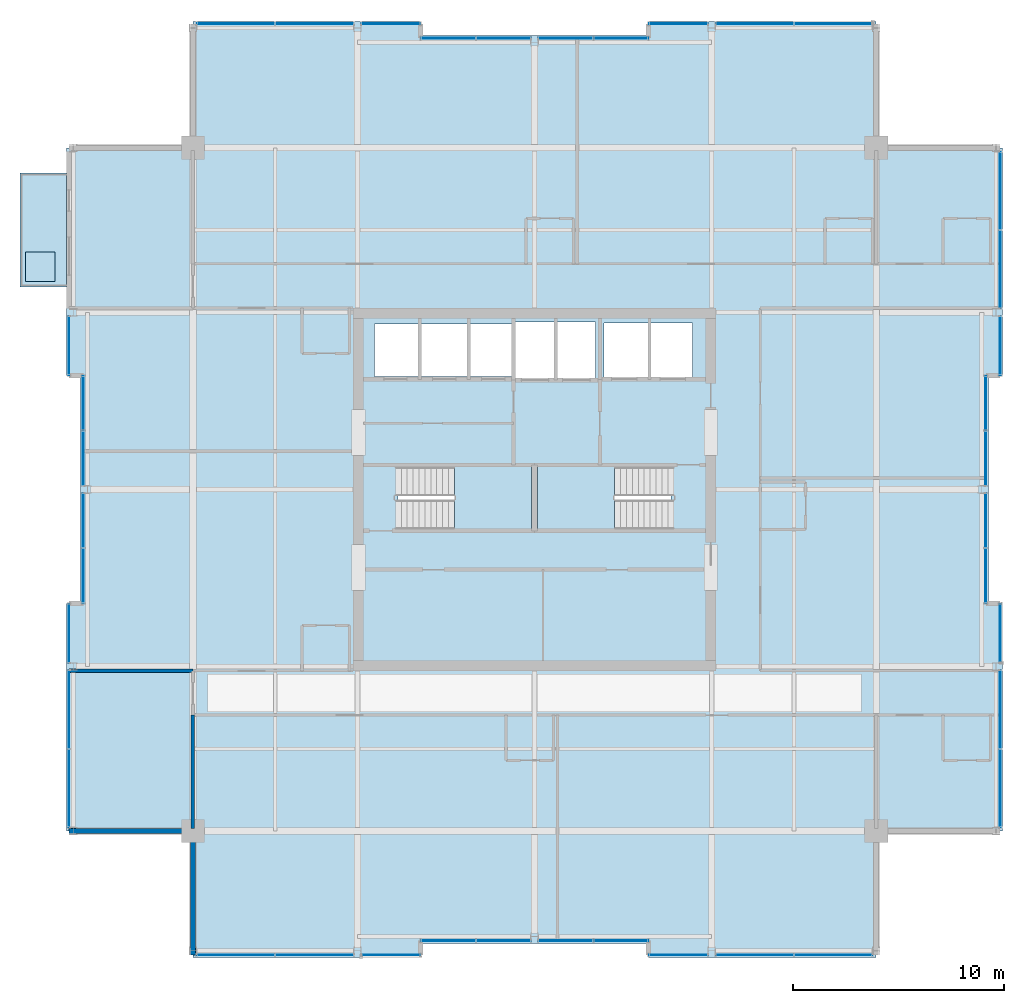
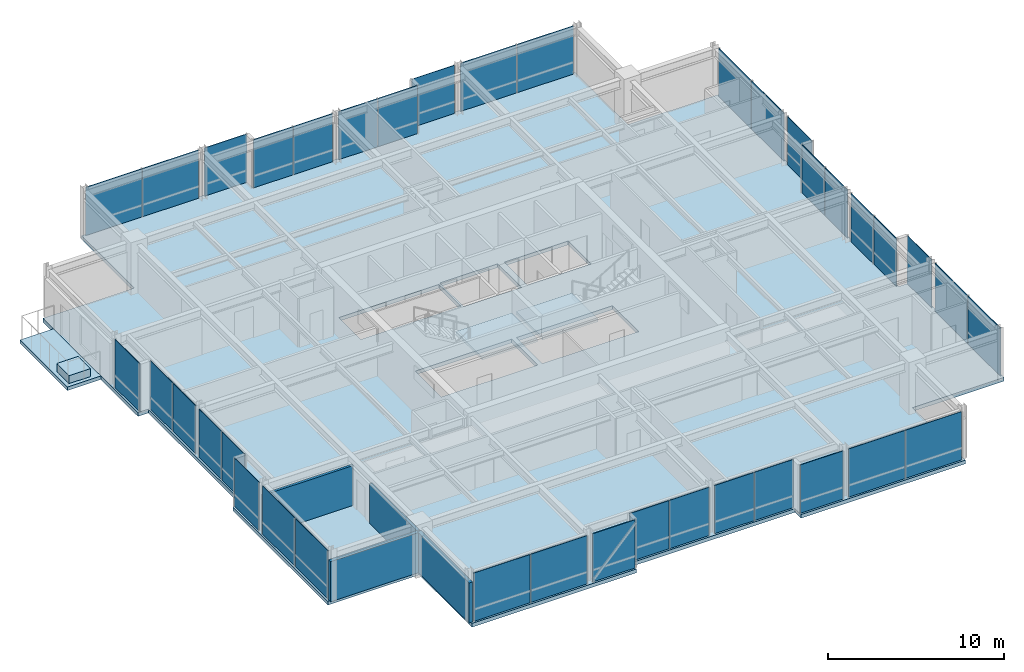
# One storey, part 27 of 33: 38 plates, 5 slabs, 4 walls, 25 elements without a shape of their own.
"""IFC4 building model written with IfcOpenShell, lengths in metres."""

from ifc_helpers import new_model, si_unit, direction, frame, frame_2d, origin, origin_2d, place, context, subcontext, project, spatial, polyline, rectangle, outline, extrude, material, layer, layer_set, type_object, element, aggregate, save


model = new_model("IFC4")

# Units and contexts
model_context = context("Model", 3, precision=1e-05, world=origin(), true_north=direction((0.0, 1.0)))
body_context = subcontext(model_context, "Body", "Model", "MODEL_VIEW")
ifc_project = project(units=[si_unit("LENGTHUNIT", "METRE"), si_unit("AREAUNIT", "SQUARE_METRE"), si_unit("VOLUMEUNIT", "CUBIC_METRE"), si_unit("PLANEANGLEUNIT", "RADIAN"), si_unit("MASSUNIT", "GRAM", prefix="KILO")], contexts=[model_context])

# Site, building, storey
site_placement = place(None, origin())
site = spatial("IfcSite", under=ifc_project, at=site_placement, CompositionType="ELEMENT")
building_placement = place(site_placement, origin())
building = spatial("IfcBuilding", under=site, at=building_placement, Name="Drelvath Grand Hotel", CompositionType="ELEMENT")
storey_placement = place(building_placement, frame((0.0, 0.0, 283.25)))
storey = spatial("IfcBuildingStorey", under=building, at=storey_placement, Name="L74", CompositionType="ELEMENT", Elevation=283.25)

# Slabs
ifc_material_1 = material(Name="Concrete f'c 40 MPa", Category="concrete")
ifc_layer_1 = layer(ifc_material_1, 0.239990234375)
ifc_layer_set_1 = layer_set([ifc_layer_1], Name="Concrete f'c 40 MPa")
slab_type_1 = type_object("IfcSlabType", Name="Cantilevered Tree Balcony Slab 240", PredefinedType="FLOOR", material=ifc_layer_set_1)
slab_1_placement = place(storey_placement, frame((0.0, 0.0, -0.239990234375)))
element("IfcSlab", 1, at=slab_1_placement, inside=storey, type_object=slab_type_1, Name="L74 Cantilevered Tree Balcony Slab 1", PredefinedType="FLOOR", context=body_context, shape_type="SweptSolid", body=[
    extrude(outline(polyline([(-24.39990234375, 36.60009765625), (-22.199951171875, 36.60009765625), (-22.199951171875, 42.0), (-24.39990234375, 42.0), (-24.39990234375, 36.60009765625)])), origin(), (0.0, 0.0, 1.0), 0.239990234375),
])
ifc_layer_2 = layer(ifc_material_1, 0.260009765625)
ifc_layer_set_2 = layer_set([ifc_layer_2], Name="Concrete f'c 40 MPa")
slab_type_2 = type_object("IfcSlabType", Name="Composite RC Floor Slab 260", PredefinedType="FLOOR", material=ifc_layer_set_2)
slab_2_placement = place(storey_placement, frame((0.0, 0.0, -0.260009765625)))
element("IfcSlab", 2, at=slab_2_placement, inside=storey, type_object=slab_type_2, Name="L74 Structural Floor Slab", PredefinedType="FLOOR", context=body_context, shape_type="SweptSolid", body=[
    extrude(outline(polyline([(-16.199951171875, 4.800048828125), (-5.39990234375, 4.800048828125), (-5.39990234375, 5.47998046875), (5.39990234375, 5.47998046875), (5.39990234375, 4.800048828125), (16.199951171875, 4.800048828125), (16.199951171875, 10.800048828125), (22.199951171875, 10.800048828125), (22.199951171875, 21.60009765625), (21.52001953125, 21.60009765625), (21.52001953125, 32.39990234375), (22.199951171875, 32.39990234375), (22.199951171875, 43.199951171875), (16.199951171875, 43.199951171875), (16.199951171875, 49.199951171875), (5.39990234375, 49.199951171875), (5.39990234375, 48.52001953125), (-5.39990234375, 48.52001953125), (-5.39990234375, 49.199951171875), (-16.199951171875, 49.199951171875), (-16.199951171875, 43.199951171875), (-22.199951171875, 43.199951171875), (-22.199951171875, 32.39990234375), (-21.52001953125, 32.39990234375), (-21.52001953125, 21.60009765625), (-22.199951171875, 21.60009765625), (-22.199951171875, 10.800048828125), (-16.199951171875, 10.800048828125), (-16.199951171875, 4.800048828125)]), holes=[polyline([(-6.47998046875, 25.1201171875), (-6.47998046875, 28.080078125), (-0.14990234375, 28.080078125), (-0.14990234375, 25.1201171875), (-6.47998046875, 25.1201171875)]), polyline([(0.14990234375, 25.1201171875), (0.14990234375, 28.080078125), (6.47998046875, 28.080078125), (6.47998046875, 25.1201171875), (0.14990234375, 25.1201171875)]), polyline([(-7.60009765625, 32.35009765625), (-7.60009765625, 34.85009765625), (-1.02001953125, 34.85009765625), (-1.02001953125, 32.35009765625), (-7.60009765625, 32.35009765625)]), polyline([(-0.89990234375, 32.25), (-0.89990234375, 34.949951171875), (2.89990234375, 34.949951171875), (2.89990234375, 32.25), (-0.89990234375, 32.25)]), polyline([(3.300048828125, 32.300048828125), (3.300048828125, 34.89990234375), (7.5, 34.89990234375), (7.5, 32.300048828125), (3.300048828125, 32.300048828125)])]), origin(), (0.0, 0.0, 1.0), 0.260009765625),
])

# Stair, slab
ifc_material_2 = material(Name="Concrete C40/50", Category="concrete")
stair_type = type_object("IfcStairType", Name="Dogleg Exit Stair W1400-R165.9", PredefinedType="HALF_TURN_STAIR", material=ifc_material_2)
stair_1_placement = place(storey_placement, origin())
stair_1 = element("IfcStair", 3, at=stair_1_placement, inside=storey, type_object=stair_type, Name="L74 Core Exit Stair ST-1", PredefinedType="HALF_TURN_STAIR")
ifc_layer_3 = layer(ifc_material_2, 0.199951171875)
ifc_layer_set_3 = layer_set([ifc_layer_3], Name="Concrete C40/50")
slab_type_3 = type_object("IfcSlabType", Name="Concrete Stair Landing Slab 200", PredefinedType="LANDING", material=ifc_layer_set_3)
slab_3_placement = place(storey_placement, frame((0.0, 0.0, 1.625)))
slab_3 = element("IfcSlab", 4, at=slab_3_placement, type_object=slab_type_3, Name="ST-1 landing 1", PredefinedType="LANDING", context=body_context, shape_type="SweptSolid", body=[
    extrude(outline(polyline([(-3.800048828125, 25.1201171875), (-0.14990234375, 25.1201171875), (-0.14990234375, 28.080078125), (-3.800048828125, 28.080078125), (-3.800048828125, 25.1201171875)])), origin(), (0.0, 0.0, 1.0), 0.199951171875),
])
aggregate(stair_1, [slab_3])

stair_2_placement = place(storey_placement, origin())
stair_2 = element("IfcStair", 5, at=stair_2_placement, inside=storey, type_object=stair_type, Name="L74 Core Exit Stair ST-2", PredefinedType="HALF_TURN_STAIR")
slab_4_placement = place(storey_placement, frame((0.0, 0.0, 1.625)))
slab_4 = element("IfcSlab", 6, at=slab_4_placement, type_object=slab_type_3, Name="ST-2 landing 1", PredefinedType="LANDING", context=body_context, shape_type="SweptSolid", body=[
    extrude(outline(polyline([(3.800048828125, 28.080078125), (0.14990234375, 28.080078125), (0.14990234375, 25.1201171875), (3.800048828125, 25.1201171875), (3.800048828125, 28.080078125)])), origin(), (0.0, 0.0, 1.0), 0.199951171875),
])
aggregate(stair_2, [slab_4])

# Curtain wall, plates
ifc_material_3 = material(Name="Platinum-Mist Anodised Aluminium Frame", Category="aluminium")
ifc_layer_4 = layer(ifc_material_3, 0.199951171875)
ifc_layer_set_4 = layer_set([ifc_layer_4], Name="Platinum-Mist Anodised Aluminium Frame")
curtain_wall_type = type_object("IfcCurtainWallType", Name="Stick Curtain Wall CW-05 Platinum Mist High-Rise", PredefinedType="NOTDEFINED", material=ifc_layer_set_4)
curtain_wall_1_placement = place(storey_placement, origin())
curtain_wall_1 = element("IfcCurtainWall", 7, at=curtain_wall_1_placement, inside=storey, type_object=curtain_wall_type, Name="L74 CW-05 Curtain Wall CW05-L74-WS1", PredefinedType="NOTDEFINED")
ifc_material_4 = material(Name="Low-E Triple Silver High-Altitude Glass", Category="glass")
ifc_layer_5 = layer(ifc_material_4, 0.035888671875)
ifc_layer_set_5 = layer_set([ifc_layer_5], Name="Low-E Triple Silver High-Altitude Glass")
plate_type = type_object("IfcPlateType", Name="Curtain Wall Vision Panel CW-05 36mm", PredefinedType="CURTAIN_PANEL", material=ifc_layer_set_5)
plate_1_placement = place(storey_placement, frame((-22.080078125, 12.835205078125, 0.02001953125), z_axis=(0.0, 0.0, 1.0), x_axis=(0.0, 1.0, 0.0)))
plate_1 = element("IfcPlate", 8, at=plate_1_placement, type_object=plate_type, Name="CW05-L74-WS1 Glazed Panel 1", PredefinedType="CURTAIN_PANEL", context=body_context, shape_type="SweptSolid", body=[
    extrude(rectangle(XDim=3.68994140625, YDim=0.035888671875, at=origin_2d()), origin(), (0.0, 0.0, 1.0), 3.35009765625),
])
plate_2_placement = place(storey_placement, frame((-22.080078125, 16.56494140625, 0.02001953125), z_axis=(0.0, 0.0, 1.0), x_axis=(0.0, 1.0, 0.0)))
plate_2 = element("IfcPlate", 9, at=plate_2_placement, type_object=plate_type, Name="CW05-L74-WS1 Glazed Panel 2", PredefinedType="CURTAIN_PANEL", context=body_context, shape_type="SweptSolid", body=[
    extrude(rectangle(XDim=3.68994140625, YDim=0.035888671875, at=origin_2d()), origin(), (0.0, 0.0, 1.0), 3.35009765625),
])
aggregate(curtain_wall_1, [plate_1, plate_2])

# Curtain wall, plate
curtain_wall_2_placement = place(storey_placement, origin())
curtain_wall_2 = element("IfcCurtainWall", 10, at=curtain_wall_2_placement, inside=storey, type_object=curtain_wall_type, Name="L74 CW-05 Curtain Wall CW05-L74-WS2", PredefinedType="NOTDEFINED")
plate_3_placement = place(storey_placement, frame((-22.080078125, 20.18505859375, 0.02001953125), z_axis=(0.0, 0.0, 1.0), x_axis=(0.0, 1.0, 0.0)))
plate_3 = element("IfcPlate", 11, at=plate_3_placement, type_object=plate_type, Name="CW05-L74-WS2 Glazed Panel 1", PredefinedType="CURTAIN_PANEL", context=body_context, shape_type="SweptSolid", body=[
    extrude(rectangle(XDim=2.789794921875, YDim=0.035888671875, at=origin_2d()), origin(), (0.0, 0.0, 1.0), 3.35009765625),
])
aggregate(curtain_wall_2, [plate_3])

# Curtain wall, plates
curtain_wall_3_placement = place(storey_placement, origin())
curtain_wall_3 = element("IfcCurtainWall", 12, at=curtain_wall_3_placement, inside=storey, type_object=curtain_wall_type, Name="L74 CW-05 Curtain Wall CW05-L74-WM1", PredefinedType="NOTDEFINED")
plate_4_placement = place(storey_placement, frame((-21.39990234375, 22.907470703125, 0.02001953125), z_axis=(0.0, 0.0, 1.0), x_axis=(0.0, 1.0, 0.0)))
plate_4 = element("IfcPlate", 13, at=plate_4_placement, type_object=plate_type, Name="CW05-L74-WM1 Glazed Panel 1", PredefinedType="CURTAIN_PANEL", context=body_context, shape_type="SweptSolid", body=[
    extrude(rectangle(XDim=2.574951171875, YDim=0.035888671875, at=origin_2d()), origin(), (0.0, 0.0, 1.0), 3.35009765625),
])
plate_5_placement = place(storey_placement, frame((-21.39990234375, 25.5224609375, 0.02001953125), z_axis=(0.0, 0.0, 1.0), x_axis=(0.0, 1.0, 0.0)))
plate_5 = element("IfcPlate", 14, at=plate_5_placement, type_object=plate_type, Name="CW05-L74-WM1 Glazed Panel 2", PredefinedType="CURTAIN_PANEL", context=body_context, shape_type="SweptSolid", body=[
    extrude(rectangle(XDim=2.574951171875, YDim=0.035888671875, at=origin_2d()), origin(), (0.0, 0.0, 1.0), 3.35009765625),
])
aggregate(curtain_wall_3, [plate_4, plate_5])

curtain_wall_4_placement = place(storey_placement, origin())
curtain_wall_4 = element("IfcCurtainWall", 15, at=curtain_wall_4_placement, inside=storey, type_object=curtain_wall_type, Name="L74 CW-05 Curtain Wall CW05-L74-WM2", PredefinedType="NOTDEFINED")
plate_6_placement = place(storey_placement, frame((-21.39990234375, 28.4775390625, 0.02001953125), z_axis=(0.0, 0.0, 1.0), x_axis=(0.0, 1.0, 0.0)))
plate_6 = element("IfcPlate", 16, at=plate_6_placement, type_object=plate_type, Name="CW05-L74-WM2 Glazed Panel 1", PredefinedType="CURTAIN_PANEL", context=body_context, shape_type="SweptSolid", body=[
    extrude(rectangle(XDim=2.574951171875, YDim=0.035888671875, at=origin_2d()), origin(), (0.0, 0.0, 1.0), 3.35009765625),
])
plate_7_placement = place(storey_placement, frame((-21.39990234375, 31.092529296875, 0.02001953125), z_axis=(0.0, 0.0, 1.0), x_axis=(0.0, 1.0, 0.0)))
plate_7 = element("IfcPlate", 17, at=plate_7_placement, type_object=plate_type, Name="CW05-L74-WM2 Glazed Panel 2", PredefinedType="CURTAIN_PANEL", context=body_context, shape_type="SweptSolid", body=[
    extrude(rectangle(XDim=2.574951171875, YDim=0.035888671875, at=origin_2d()), origin(), (0.0, 0.0, 1.0), 3.35009765625),
])
aggregate(curtain_wall_4, [plate_6, plate_7])

# Curtain wall, plate
curtain_wall_5_placement = place(storey_placement, origin())
curtain_wall_5 = element("IfcCurtainWall", 18, at=curtain_wall_5_placement, inside=storey, type_object=curtain_wall_type, Name="L74 CW-05 Curtain Wall CW05-L74-WN1", PredefinedType="NOTDEFINED")
plate_8_placement = place(storey_placement, frame((-22.080078125, 33.81494140625, 0.02001953125), z_axis=(0.0, 0.0, 1.0), x_axis=(0.0, 1.0, 0.0)))
plate_8 = element("IfcPlate", 19, at=plate_8_placement, type_object=plate_type, Name="CW05-L74-WN1 Glazed Panel 1", PredefinedType="CURTAIN_PANEL", context=body_context, shape_type="SweptSolid", body=[
    extrude(rectangle(XDim=2.7900390625, YDim=0.035888671875, at=origin_2d()), origin(), (0.0, 0.0, 1.0), 3.35009765625),
])
aggregate(curtain_wall_5, [plate_8])

curtain_wall_6_placement = place(storey_placement, origin())
curtain_wall_6 = element("IfcCurtainWall", 20, at=curtain_wall_6_placement, inside=storey, type_object=curtain_wall_type, Name="L74 CW-05 Curtain Wall CW05-L74-EN1", PredefinedType="NOTDEFINED")
plate_9_placement = place(storey_placement, frame((22.080078125, 33.81494140625, 0.02001953125), z_axis=(0.0, 0.0, 1.0), x_axis=(0.0, -1.0, 0.0)))
plate_9 = element("IfcPlate", 21, at=plate_9_placement, type_object=plate_type, Name="CW05-L74-EN1 Glazed Panel 1", PredefinedType="CURTAIN_PANEL", context=body_context, shape_type="SweptSolid", body=[
    extrude(rectangle(XDim=2.7900390625, YDim=0.035888671875, at=origin_2d()), origin(), (0.0, 0.0, 1.0), 3.35009765625),
])
aggregate(curtain_wall_6, [plate_9])

# Curtain wall, plates
curtain_wall_7_placement = place(storey_placement, origin())
curtain_wall_7 = element("IfcCurtainWall", 22, at=curtain_wall_7_placement, inside=storey, type_object=curtain_wall_type, Name="L74 CW-05 Curtain Wall CW05-L74-EN2", PredefinedType="NOTDEFINED")
plate_10_placement = place(storey_placement, frame((22.080078125, 41.1650390625, 0.02001953125), z_axis=(0.0, 0.0, 1.0), x_axis=(0.0, -1.0, 0.0)))
plate_10 = element("IfcPlate", 23, at=plate_10_placement, type_object=plate_type, Name="CW05-L74-EN2 Glazed Panel 1", PredefinedType="CURTAIN_PANEL", context=body_context, shape_type="SweptSolid", body=[
    extrude(rectangle(XDim=3.68994140625, YDim=0.035888671875, at=origin_2d()), origin(), (0.0, 0.0, 1.0), 3.35009765625),
])
plate_11_placement = place(storey_placement, frame((22.080078125, 37.43505859375, 0.02001953125), z_axis=(0.0, 0.0, 1.0), x_axis=(0.0, -1.0, 0.0)))
plate_11 = element("IfcPlate", 24, at=plate_11_placement, type_object=plate_type, Name="CW05-L74-EN2 Glazed Panel 2", PredefinedType="CURTAIN_PANEL", context=body_context, shape_type="SweptSolid", body=[
    extrude(rectangle(XDim=3.68994140625, YDim=0.035888671875, at=origin_2d()), origin(), (0.0, 0.0, 1.0), 3.35009765625),
])
aggregate(curtain_wall_7, [plate_10, plate_11])

curtain_wall_8_placement = place(storey_placement, origin())
curtain_wall_8 = element("IfcCurtainWall", 25, at=curtain_wall_8_placement, inside=storey, type_object=curtain_wall_type, Name="L74 CW-05 Curtain Wall CW05-L74-EM1", PredefinedType="NOTDEFINED")
plate_12_placement = place(storey_placement, frame((21.39990234375, 25.5224609375, 0.02001953125), z_axis=(0.0, 0.0, 1.0), x_axis=(0.0, -1.0, 0.0)))
plate_12 = element("IfcPlate", 26, at=plate_12_placement, type_object=plate_type, Name="CW05-L74-EM1 Glazed Panel 1", PredefinedType="CURTAIN_PANEL", context=body_context, shape_type="SweptSolid", body=[
    extrude(rectangle(XDim=2.574951171875, YDim=0.035888671875, at=origin_2d()), origin(), (0.0, 0.0, 1.0), 3.35009765625),
])
plate_13_placement = place(storey_placement, frame((21.39990234375, 22.907470703125, 0.02001953125), z_axis=(0.0, 0.0, 1.0), x_axis=(0.0, -1.0, 0.0)))
plate_13 = element("IfcPlate", 27, at=plate_13_placement, type_object=plate_type, Name="CW05-L74-EM1 Glazed Panel 2", PredefinedType="CURTAIN_PANEL", context=body_context, shape_type="SweptSolid", body=[
    extrude(rectangle(XDim=2.574951171875, YDim=0.035888671875, at=origin_2d()), origin(), (0.0, 0.0, 1.0), 3.35009765625),
])
aggregate(curtain_wall_8, [plate_12, plate_13])

curtain_wall_9_placement = place(storey_placement, origin())
curtain_wall_9 = element("IfcCurtainWall", 28, at=curtain_wall_9_placement, inside=storey, type_object=curtain_wall_type, Name="L74 CW-05 Curtain Wall CW05-L74-EM2", PredefinedType="NOTDEFINED")
plate_14_placement = place(storey_placement, frame((21.39990234375, 31.092529296875, 0.02001953125), z_axis=(0.0, 0.0, 1.0), x_axis=(0.0, -1.0, 0.0)))
plate_14 = element("IfcPlate", 29, at=plate_14_placement, type_object=plate_type, Name="CW05-L74-EM2 Glazed Panel 1", PredefinedType="CURTAIN_PANEL", context=body_context, shape_type="SweptSolid", body=[
    extrude(rectangle(XDim=2.574951171875, YDim=0.035888671875, at=origin_2d()), origin(), (0.0, 0.0, 1.0), 3.35009765625),
])
plate_15_placement = place(storey_placement, frame((21.39990234375, 28.4775390625, 0.02001953125), z_axis=(0.0, 0.0, 1.0), x_axis=(0.0, -1.0, 0.0)))
plate_15 = element("IfcPlate", 30, at=plate_15_placement, type_object=plate_type, Name="CW05-L74-EM2 Glazed Panel 2", PredefinedType="CURTAIN_PANEL", context=body_context, shape_type="SweptSolid", body=[
    extrude(rectangle(XDim=2.574951171875, YDim=0.035888671875, at=origin_2d()), origin(), (0.0, 0.0, 1.0), 3.35009765625),
])
aggregate(curtain_wall_9, [plate_14, plate_15])

curtain_wall_10_placement = place(storey_placement, origin())
curtain_wall_10 = element("IfcCurtainWall", 31, at=curtain_wall_10_placement, inside=storey, type_object=curtain_wall_type, Name="L74 CW-05 Curtain Wall CW05-L74-ES1", PredefinedType="NOTDEFINED")
plate_16_placement = place(storey_placement, frame((22.080078125, 16.56494140625, 0.02001953125), z_axis=(0.0, 0.0, 1.0), x_axis=(0.0, -1.0, 0.0)))
plate_16 = element("IfcPlate", 32, at=plate_16_placement, type_object=plate_type, Name="CW05-L74-ES1 Glazed Panel 1", PredefinedType="CURTAIN_PANEL", context=body_context, shape_type="SweptSolid", body=[
    extrude(rectangle(XDim=3.68994140625, YDim=0.035888671875, at=origin_2d()), origin(), (0.0, 0.0, 1.0), 3.35009765625),
])
plate_17_placement = place(storey_placement, frame((22.080078125, 12.835205078125, 0.02001953125), z_axis=(0.0, 0.0, 1.0), x_axis=(0.0, -1.0, 0.0)))
plate_17 = element("IfcPlate", 33, at=plate_17_placement, type_object=plate_type, Name="CW05-L74-ES1 Glazed Panel 2", PredefinedType="CURTAIN_PANEL", context=body_context, shape_type="SweptSolid", body=[
    extrude(rectangle(XDim=3.68994140625, YDim=0.035888671875, at=origin_2d()), origin(), (0.0, 0.0, 1.0), 3.35009765625),
])
aggregate(curtain_wall_10, [plate_16, plate_17])

# Curtain wall, plate
curtain_wall_11_placement = place(storey_placement, origin())
curtain_wall_11 = element("IfcCurtainWall", 34, at=curtain_wall_11_placement, inside=storey, type_object=curtain_wall_type, Name="L74 CW-05 Curtain Wall CW05-L74-ES2", PredefinedType="NOTDEFINED")
plate_18_placement = place(storey_placement, frame((22.080078125, 20.18505859375, 0.02001953125), z_axis=(0.0, 0.0, 1.0), x_axis=(0.0, -1.0, 0.0)))
plate_18 = element("IfcPlate", 35, at=plate_18_placement, type_object=plate_type, Name="CW05-L74-ES2 Glazed Panel 1", PredefinedType="CURTAIN_PANEL", context=body_context, shape_type="SweptSolid", body=[
    extrude(rectangle(XDim=2.789794921875, YDim=0.035888671875, at=origin_2d()), origin(), (0.0, 0.0, 1.0), 3.35009765625),
])
aggregate(curtain_wall_11, [plate_18])

# Curtain wall, plates
curtain_wall_12_placement = place(storey_placement, origin())
curtain_wall_12 = element("IfcCurtainWall", 36, at=curtain_wall_12_placement, inside=storey, type_object=curtain_wall_type, Name="L74 CW-05 Curtain Wall CW05-L74-NW1", PredefinedType="NOTDEFINED")
plate_19_placement = place(storey_placement, frame((-14.1650390625, 49.080078125, 0.02001953125), z_axis=(0.0, 0.0, 1.0), x_axis=(1.0, 0.0, 0.0)))
plate_19 = element("IfcPlate", 37, at=plate_19_placement, type_object=plate_type, Name="CW05-L74-NW1 Glazed Panel 1", PredefinedType="CURTAIN_PANEL", context=body_context, shape_type="SweptSolid", body=[
    extrude(rectangle(XDim=3.68994140625, YDim=0.035888671875, at=origin_2d()), origin(), (0.0, 0.0, 1.0), 3.35009765625),
])
plate_20_placement = place(storey_placement, frame((-10.43505859375, 49.080078125, 0.02001953125), z_axis=(0.0, 0.0, 1.0), x_axis=(1.0, 0.0, 0.0)))
plate_20 = element("IfcPlate", 38, at=plate_20_placement, type_object=plate_type, Name="CW05-L74-NW1 Glazed Panel 2", PredefinedType="CURTAIN_PANEL", context=body_context, shape_type="SweptSolid", body=[
    extrude(rectangle(XDim=3.68994140625, YDim=0.035888671875, at=origin_2d()), origin(), (0.0, 0.0, 1.0), 3.35009765625),
])
aggregate(curtain_wall_12, [plate_19, plate_20])

# Curtain wall, plate
curtain_wall_13_placement = place(storey_placement, origin())
curtain_wall_13 = element("IfcCurtainWall", 39, at=curtain_wall_13_placement, inside=storey, type_object=curtain_wall_type, Name="L74 CW-05 Curtain Wall CW05-L74-NW2", PredefinedType="NOTDEFINED")
plate_21_placement = place(storey_placement, frame((-6.81494140625, 49.080078125, 0.02001953125), z_axis=(0.0, 0.0, 1.0), x_axis=(1.0, 0.0, 0.0)))
plate_21 = element("IfcPlate", 40, at=plate_21_placement, type_object=plate_type, Name="CW05-L74-NW2 Glazed Panel 1", PredefinedType="CURTAIN_PANEL", context=body_context, shape_type="SweptSolid", body=[
    extrude(rectangle(XDim=2.789794921875, YDim=0.035888671875, at=origin_2d()), origin(), (0.0, 0.0, 1.0), 3.35009765625),
])
aggregate(curtain_wall_13, [plate_21])

# Curtain wall, plates
curtain_wall_14_placement = place(storey_placement, origin())
curtain_wall_14 = element("IfcCurtainWall", 41, at=curtain_wall_14_placement, inside=storey, type_object=curtain_wall_type, Name="L74 CW-05 Curtain Wall CW05-L74-NM1", PredefinedType="NOTDEFINED")
plate_22_placement = place(storey_placement, frame((-4.092529296875, 48.39990234375, 0.02001953125), z_axis=(0.0, 0.0, 1.0), x_axis=(1.0, 0.0, 0.0)))
plate_22 = element("IfcPlate", 42, at=plate_22_placement, type_object=plate_type, Name="CW05-L74-NM1 Glazed Panel 1", PredefinedType="CURTAIN_PANEL", context=body_context, shape_type="SweptSolid", body=[
    extrude(rectangle(XDim=2.574951171875, YDim=0.035888671875, at=origin_2d()), origin(), (0.0, 0.0, 1.0), 3.35009765625),
])
plate_23_placement = place(storey_placement, frame((-1.4775390625, 48.39990234375, 0.02001953125), z_axis=(0.0, 0.0, 1.0), x_axis=(1.0, 0.0, 0.0)))
plate_23 = element("IfcPlate", 43, at=plate_23_placement, type_object=plate_type, Name="CW05-L74-NM1 Glazed Panel 2", PredefinedType="CURTAIN_PANEL", context=body_context, shape_type="SweptSolid", body=[
    extrude(rectangle(XDim=2.574951171875, YDim=0.035888671875, at=origin_2d()), origin(), (0.0, 0.0, 1.0), 3.35009765625),
])
aggregate(curtain_wall_14, [plate_22, plate_23])

curtain_wall_15_placement = place(storey_placement, origin())
curtain_wall_15 = element("IfcCurtainWall", 44, at=curtain_wall_15_placement, inside=storey, type_object=curtain_wall_type, Name="L74 CW-05 Curtain Wall CW05-L74-NM2", PredefinedType="NOTDEFINED")
plate_24_placement = place(storey_placement, frame((1.4775390625, 48.39990234375, 0.02001953125), z_axis=(0.0, 0.0, 1.0), x_axis=(1.0, 0.0, 0.0)))
plate_24 = element("IfcPlate", 45, at=plate_24_placement, type_object=plate_type, Name="CW05-L74-NM2 Glazed Panel 1", PredefinedType="CURTAIN_PANEL", context=body_context, shape_type="SweptSolid", body=[
    extrude(rectangle(XDim=2.574951171875, YDim=0.035888671875, at=origin_2d()), origin(), (0.0, 0.0, 1.0), 3.35009765625),
])
plate_25_placement = place(storey_placement, frame((4.092529296875, 48.39990234375, 0.02001953125), z_axis=(0.0, 0.0, 1.0), x_axis=(1.0, 0.0, 0.0)))
plate_25 = element("IfcPlate", 46, at=plate_25_placement, type_object=plate_type, Name="CW05-L74-NM2 Glazed Panel 2", PredefinedType="CURTAIN_PANEL", context=body_context, shape_type="SweptSolid", body=[
    extrude(rectangle(XDim=2.574951171875, YDim=0.035888671875, at=origin_2d()), origin(), (0.0, 0.0, 1.0), 3.35009765625),
])
aggregate(curtain_wall_15, [plate_24, plate_25])

# Curtain wall, plate
curtain_wall_16_placement = place(storey_placement, origin())
curtain_wall_16 = element("IfcCurtainWall", 47, at=curtain_wall_16_placement, inside=storey, type_object=curtain_wall_type, Name="L74 CW-05 Curtain Wall CW05-L74-NE1", PredefinedType="NOTDEFINED")
plate_26_placement = place(storey_placement, frame((6.81494140625, 49.080078125, 0.02001953125), z_axis=(0.0, 0.0, 1.0), x_axis=(1.0, 0.0, 0.0)))
plate_26 = element("IfcPlate", 48, at=plate_26_placement, type_object=plate_type, Name="CW05-L74-NE1 Glazed Panel 1", PredefinedType="CURTAIN_PANEL", context=body_context, shape_type="SweptSolid", body=[
    extrude(rectangle(XDim=2.789794921875, YDim=0.035888671875, at=origin_2d()), origin(), (0.0, 0.0, 1.0), 3.35009765625),
])
aggregate(curtain_wall_16, [plate_26])

# Curtain wall, plates
curtain_wall_17_placement = place(storey_placement, origin())
curtain_wall_17 = element("IfcCurtainWall", 49, at=curtain_wall_17_placement, inside=storey, type_object=curtain_wall_type, Name="L74 CW-05 Curtain Wall CW05-L74-NE2", PredefinedType="NOTDEFINED")
plate_27_placement = place(storey_placement, frame((10.43505859375, 49.080078125, 0.02001953125), z_axis=(0.0, 0.0, 1.0), x_axis=(1.0, 0.0, 0.0)))
plate_27 = element("IfcPlate", 50, at=plate_27_placement, type_object=plate_type, Name="CW05-L74-NE2 Glazed Panel 1", PredefinedType="CURTAIN_PANEL", context=body_context, shape_type="SweptSolid", body=[
    extrude(rectangle(XDim=3.68994140625, YDim=0.035888671875, at=origin_2d()), origin(), (0.0, 0.0, 1.0), 3.35009765625),
])
plate_28_placement = place(storey_placement, frame((14.1650390625, 49.080078125, 0.02001953125), z_axis=(0.0, 0.0, 1.0), x_axis=(1.0, 0.0, 0.0)))
plate_28 = element("IfcPlate", 51, at=plate_28_placement, type_object=plate_type, Name="CW05-L74-NE2 Glazed Panel 2", PredefinedType="CURTAIN_PANEL", context=body_context, shape_type="SweptSolid", body=[
    extrude(rectangle(XDim=3.68994140625, YDim=0.035888671875, at=origin_2d()), origin(), (0.0, 0.0, 1.0), 3.35009765625),
])
aggregate(curtain_wall_17, [plate_27, plate_28])

# Curtain wall, plate
curtain_wall_18_placement = place(storey_placement, origin())
curtain_wall_18 = element("IfcCurtainWall", 52, at=curtain_wall_18_placement, inside=storey, type_object=curtain_wall_type, Name="L74 CW-05 Curtain Wall CW05-L74-SE1", PredefinedType="NOTDEFINED")
plate_29_placement = place(storey_placement, frame((6.81494140625, 4.919921875, 0.02001953125), z_axis=(0.0, 0.0, 1.0), x_axis=(-1.0, 0.0, 0.0)))
plate_29 = element("IfcPlate", 53, at=plate_29_placement, type_object=plate_type, Name="CW05-L74-SE1 Glazed Panel 1", PredefinedType="CURTAIN_PANEL", context=body_context, shape_type="SweptSolid", body=[
    extrude(rectangle(XDim=2.789794921875, YDim=0.035888671875, at=origin_2d()), origin(), (0.0, 0.0, 1.0), 3.35009765625),
])
aggregate(curtain_wall_18, [plate_29])

# Curtain wall, plates
curtain_wall_19_placement = place(storey_placement, origin())
curtain_wall_19 = element("IfcCurtainWall", 54, at=curtain_wall_19_placement, inside=storey, type_object=curtain_wall_type, Name="L74 CW-05 Curtain Wall CW05-L74-SE2", PredefinedType="NOTDEFINED")
plate_30_placement = place(storey_placement, frame((14.1650390625, 4.919921875, 0.02001953125), z_axis=(0.0, 0.0, 1.0), x_axis=(-1.0, 0.0, 0.0)))
plate_30 = element("IfcPlate", 55, at=plate_30_placement, type_object=plate_type, Name="CW05-L74-SE2 Glazed Panel 1", PredefinedType="CURTAIN_PANEL", context=body_context, shape_type="SweptSolid", body=[
    extrude(rectangle(XDim=3.68994140625, YDim=0.035888671875, at=origin_2d()), origin(), (0.0, 0.0, 1.0), 3.35009765625),
])
plate_31_placement = place(storey_placement, frame((10.43505859375, 4.919921875, 0.02001953125), z_axis=(0.0, 0.0, 1.0), x_axis=(-1.0, 0.0, 0.0)))
plate_31 = element("IfcPlate", 56, at=plate_31_placement, type_object=plate_type, Name="CW05-L74-SE2 Glazed Panel 2", PredefinedType="CURTAIN_PANEL", context=body_context, shape_type="SweptSolid", body=[
    extrude(rectangle(XDim=3.68994140625, YDim=0.035888671875, at=origin_2d()), origin(), (0.0, 0.0, 1.0), 3.35009765625),
])
aggregate(curtain_wall_19, [plate_30, plate_31])

curtain_wall_20_placement = place(storey_placement, origin())
curtain_wall_20 = element("IfcCurtainWall", 57, at=curtain_wall_20_placement, inside=storey, type_object=curtain_wall_type, Name="L74 CW-05 Curtain Wall CW05-L74-SM1", PredefinedType="NOTDEFINED")
plate_32_placement = place(storey_placement, frame((-1.4775390625, 5.60009765625, 0.02001953125), z_axis=(0.0, 0.0, 1.0), x_axis=(-1.0, 0.0, 0.0)))
plate_32 = element("IfcPlate", 58, at=plate_32_placement, type_object=plate_type, Name="CW05-L74-SM1 Glazed Panel 1", PredefinedType="CURTAIN_PANEL", context=body_context, shape_type="SweptSolid", body=[
    extrude(rectangle(XDim=2.574951171875, YDim=0.035888671875, at=origin_2d()), origin(), (0.0, 0.0, 1.0), 3.35009765625),
])
plate_33_placement = place(storey_placement, frame((-4.092529296875, 5.60009765625, 0.02001953125), z_axis=(0.0, 0.0, 1.0), x_axis=(-1.0, 0.0, 0.0)))
plate_33 = element("IfcPlate", 59, at=plate_33_placement, type_object=plate_type, Name="CW05-L74-SM1 Glazed Panel 2", PredefinedType="CURTAIN_PANEL", context=body_context, shape_type="SweptSolid", body=[
    extrude(rectangle(XDim=2.574951171875, YDim=0.035888671875, at=origin_2d()), origin(), (0.0, 0.0, 1.0), 3.35009765625),
])
aggregate(curtain_wall_20, [plate_32, plate_33])

curtain_wall_21_placement = place(storey_placement, origin())
curtain_wall_21 = element("IfcCurtainWall", 60, at=curtain_wall_21_placement, inside=storey, type_object=curtain_wall_type, Name="L74 CW-05 Curtain Wall CW05-L74-SM2", PredefinedType="NOTDEFINED")
plate_34_placement = place(storey_placement, frame((4.092529296875, 5.60009765625, 0.02001953125), z_axis=(0.0, 0.0, 1.0), x_axis=(-1.0, 0.0, 0.0)))
plate_34 = element("IfcPlate", 61, at=plate_34_placement, type_object=plate_type, Name="CW05-L74-SM2 Glazed Panel 1", PredefinedType="CURTAIN_PANEL", context=body_context, shape_type="SweptSolid", body=[
    extrude(rectangle(XDim=2.574951171875, YDim=0.035888671875, at=origin_2d()), origin(), (0.0, 0.0, 1.0), 3.35009765625),
])
plate_35_placement = place(storey_placement, frame((1.4775390625, 5.60009765625, 0.02001953125), z_axis=(0.0, 0.0, 1.0), x_axis=(-1.0, 0.0, 0.0)))
plate_35 = element("IfcPlate", 62, at=plate_35_placement, type_object=plate_type, Name="CW05-L74-SM2 Glazed Panel 2", PredefinedType="CURTAIN_PANEL", context=body_context, shape_type="SweptSolid", body=[
    extrude(rectangle(XDim=2.574951171875, YDim=0.035888671875, at=origin_2d()), origin(), (0.0, 0.0, 1.0), 3.35009765625),
])
aggregate(curtain_wall_21, [plate_34, plate_35])

curtain_wall_22_placement = place(storey_placement, origin())
curtain_wall_22 = element("IfcCurtainWall", 63, at=curtain_wall_22_placement, inside=storey, type_object=curtain_wall_type, Name="L74 CW-05 Curtain Wall CW05-L74-SW1", PredefinedType="NOTDEFINED")
plate_36_placement = place(storey_placement, frame((-10.43505859375, 4.919921875, 0.02001953125), z_axis=(0.0, 0.0, 1.0), x_axis=(-1.0, 0.0, 0.0)))
plate_36 = element("IfcPlate", 64, at=plate_36_placement, type_object=plate_type, Name="CW05-L74-SW1 Glazed Panel 1", PredefinedType="CURTAIN_PANEL", context=body_context, shape_type="SweptSolid", body=[
    extrude(rectangle(XDim=3.68994140625, YDim=0.035888671875, at=origin_2d()), origin(), (0.0, 0.0, 1.0), 3.35009765625),
])
plate_37_placement = place(storey_placement, frame((-14.1650390625, 4.919921875, 0.02001953125), z_axis=(0.0, 0.0, 1.0), x_axis=(-1.0, 0.0, 0.0)))
plate_37 = element("IfcPlate", 65, at=plate_37_placement, type_object=plate_type, Name="CW05-L74-SW1 Glazed Panel 2", PredefinedType="CURTAIN_PANEL", context=body_context, shape_type="SweptSolid", body=[
    extrude(rectangle(XDim=3.68994140625, YDim=0.035888671875, at=origin_2d()), origin(), (0.0, 0.0, 1.0), 3.35009765625),
])
aggregate(curtain_wall_22, [plate_36, plate_37])

# Curtain wall, plate
curtain_wall_23_placement = place(storey_placement, origin())
curtain_wall_23 = element("IfcCurtainWall", 66, at=curtain_wall_23_placement, inside=storey, type_object=curtain_wall_type, Name="L74 CW-05 Curtain Wall CW05-L74-SW2", PredefinedType="NOTDEFINED")
plate_38_placement = place(storey_placement, frame((-6.81494140625, 4.919921875, 0.02001953125), z_axis=(0.0, 0.0, 1.0), x_axis=(-1.0, 0.0, 0.0)))
plate_38 = element("IfcPlate", 67, at=plate_38_placement, type_object=plate_type, Name="CW05-L74-SW2 Glazed Panel 1", PredefinedType="CURTAIN_PANEL", context=body_context, shape_type="SweptSolid", body=[
    extrude(rectangle(XDim=2.789794921875, YDim=0.035888671875, at=origin_2d()), origin(), (0.0, 0.0, 1.0), 3.35009765625),
])
aggregate(curtain_wall_23, [plate_38])

# Slab
ifc_layer_6 = layer(ifc_material_1, 0.550048828125)
ifc_layer_set_6 = layer_set([ifc_layer_6], Name="Concrete f'c 40 MPa")
slab_type_4 = type_object("IfcSlabType", Name="Structural Tree Planter Box 550", PredefinedType="USERDEFINED", material=ifc_layer_set_6)
slab_5_placement = place(storey_placement, origin())
element("IfcSlab", 68, at=slab_5_placement, inside=storey, type_object=slab_type_4, Name="L74 Tree Balcony Structural Planter 1", ObjectType="PLANTER", PredefinedType="USERDEFINED", context=body_context, shape_type="SweptSolid", body=[
    extrude(outline(polyline([(-24.14990234375, 36.85009765625), (-22.75, 36.85009765625), (-22.75, 38.25), (-24.14990234375, 38.25), (-24.14990234375, 36.85009765625)])), origin(), (0.0, 0.0, 1.0), 0.550048828125),
])

# Walls
ifc_material_5 = material(Name="Gypsum Acoustic Partition")
ifc_layer_7 = layer(ifc_material_5, 0.1650390625)
ifc_layer_set_7 = layer_set([ifc_layer_7], Name="Gypsum Acoustic Partition")
wall_type_1 = type_object("IfcWallType", Name="Suite Demising Wall 165", PredefinedType="PARTITIONING", material=ifc_layer_set_7)
wall_1_placement = place(storey_placement, frame((-16.199951171875, 10.919921875, 0.0), z_axis=(0.0, 0.0, 1.0), x_axis=(0.0, 1.0, 0.0)))
element("IfcWall", 69, at=wall_1_placement, inside=storey, type_object=wall_type_1, Name="L74 SW Suite Wall", PredefinedType="PARTITIONING", context=body_context, shape_type="SweptSolid", body=[
    extrude(rectangle(XDim=5.380126953125, YDim=0.1650390625, at=frame_2d((2.68994140625, 0.0))), origin(), (0.0, 0.0, 1.0), 2.763916015625),
])
wall_2_placement = place(storey_placement, frame((-22.080078125, 18.39990234375, 0.0), z_axis=(0.0, 0.0, 1.0), x_axis=(1.0, 0.0, 0.0)))
element("IfcWall", 70, at=wall_2_placement, inside=storey, type_object=wall_type_1, Name="L74 SW Corner North Wall", PredefinedType="PARTITIONING", context=body_context, shape_type="SweptSolid", body=[
    extrude(rectangle(XDim=5.880126953125, YDim=0.1650390625, at=frame_2d((2.93994140625, 0.0))), origin(), (0.0, 0.0, 1.0), 2.763916015625),
])
ifc_material_6 = material(Name="Pale-Metal Insulated Aluminium Spandrel Assembly", Category="aluminium")
ifc_layer_8 = layer(ifc_material_6, 0.239990234375)
ifc_layer_set_8 = layer_set([ifc_layer_8], Name="Pale-Metal Insulated Aluminium Spandrel Assembly")
wall_type_2 = type_object("IfcWallType", Name="Tower Insulated Metal Spandrel Closure Wall 240", PredefinedType="STANDARD", material=ifc_layer_set_8)
for number, where, z_axis, x_axis, name in (
    (71, (-16.199951171875, 4.919921875, 0.0), (0.0, 0.0, 1.0), (0.0, 1.0, 0.0), "L74 Notched Corner Return Spandrel Wall CSW1"),
    (72, (-16.199951171875, 10.800048828125, 0.0), (0.0, 0.0, 1.0), (-1.0, 0.0, 0.0), "L74 Notched Corner Return Spandrel Wall CSW2"),
):
    element("IfcWall", number, at=place(storey_placement, frame(where, z_axis=z_axis, x_axis=x_axis)), inside=storey, type_object=wall_type_2, Name=name, PredefinedType="STANDARD", context=body_context, shape_type="SweptSolid", body=[
        extrude(rectangle(XDim=5.880126953125, YDim=0.239990234375, at=frame_2d((2.93994140625, 0.0))), origin(), (0.0, 0.0, 1.0), 2.779052734375),
    ])

save(model, "model.ifc")
